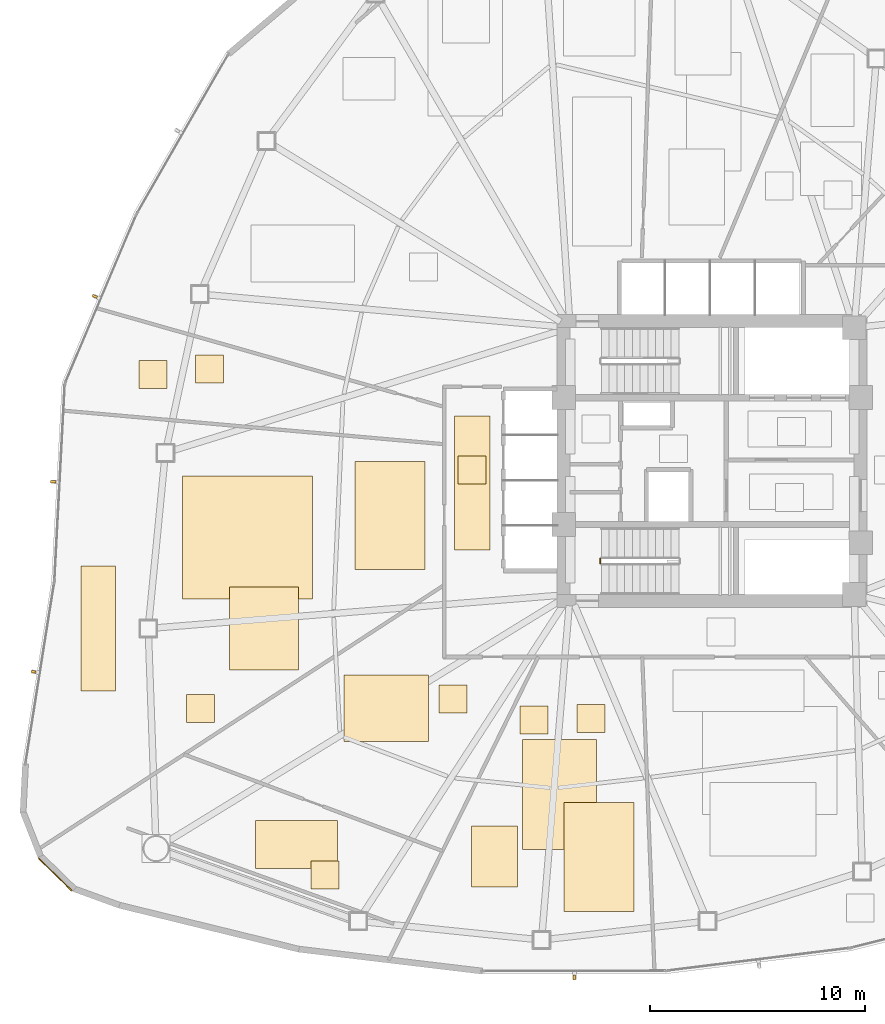
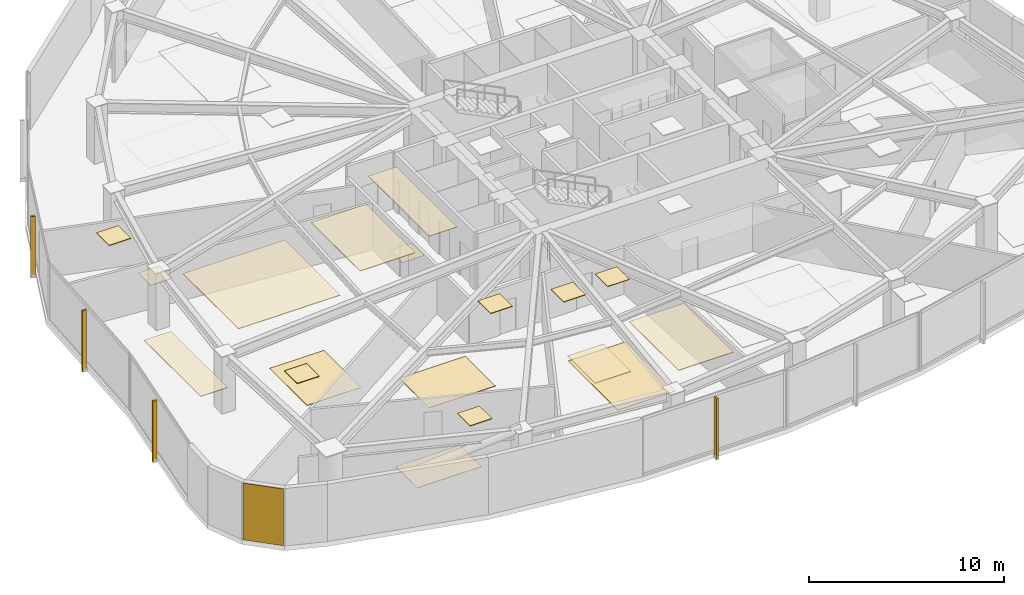
# One storey, part 14 of 17: 19 coverings, 4 shading devices, 1 railing.
"""IFC4 building model written with IfcOpenShell, lengths in metres."""

from ifc_helpers import new_model, si_unit, direction, frame, origin, origin_2d, place, context, subcontext, project, spatial, polyline, rectangle, outline, extrude, source, transform, mapped, material, layer, layer_set, type_object, type_shapes, element, save


model = new_model("IFC4")

# Units and contexts
model_context = context("Model", 3, precision=1e-05, world=origin(), true_north=direction((0.0, 1.0)))
body_context = subcontext(model_context, "Body", "Model", "MODEL_VIEW")
ifc_project = project(units=[si_unit("LENGTHUNIT", "METRE"), si_unit("AREAUNIT", "SQUARE_METRE"), si_unit("VOLUMEUNIT", "CUBIC_METRE"), si_unit("PLANEANGLEUNIT", "RADIAN"), si_unit("MASSUNIT", "GRAM", prefix="KILO")], contexts=[model_context])

# Site, building, storey
site_placement = place(None, origin())
site = spatial("IfcSite", under=ifc_project, at=site_placement, CompositionType="ELEMENT")
building_placement = place(site_placement, origin())
building = spatial("IfcBuilding", under=site, at=building_placement, Name="Tavelor Broadcast Tower", CompositionType="ELEMENT")
storey_placement = place(building_placement, frame((0.0, 0.0, 39.300048828125)))
storey = spatial("IfcBuildingStorey", under=building, at=storey_placement, Name="L08", CompositionType="ELEMENT", Elevation=39.300048828125)

# Coverings
ifc_material_1 = material(Name="Copper-Bronze Anodized Aluminium", Category="aluminium")
ifc_layer_1 = layer(ifc_material_1, 0.050048828125)
ifc_layer_set_1 = layer_set([ifc_layer_1], Name="Copper-Bronze Anodized Aluminium")
covering_type_1 = type_object("IfcCoveringType", Name="Champagne-Bronze Corner Pier Metal Cladding 50 mm", PredefinedType="CLADDING", material=ifc_layer_set_1)
covering_1_placement = place(storey_placement, frame((19.470458984375, 25.781982421875, 0.02001953125), z_axis=(0.0, 0.0, 1.0), x_axis=(0.716301943425, -0.697790459842, 0.0)))
element("IfcCovering", 1, at=covering_1_placement, inside=storey, type_object=covering_type_1, Name="L08 Champagne-Bronze Corner Cladding 13", PredefinedType="CLADDING", context=body_context, shape_type="SweptSolid", body=[
    extrude(rectangle(XDim=2.159912109375, YDim=0.050048828125, at=origin_2d()), origin(), (0.0, 0.0, 1.0), 3.56005859375),
])
ifc_material_2 = material(Name="Architectural Anodized Aluminium", Category="aluminium")
ifc_layer_2 = layer(ifc_material_2, 0.034912109375)
ifc_layer_set_2 = layer_set([ifc_layer_2], Name="Architectural Anodized Aluminium")
covering_type_2 = type_object("IfcCoveringType", Name="Demountable Metal Tile Corridor Ceiling 35 mm", PredefinedType="CEILING", material=ifc_layer_set_2)
covering_2_placement = place(storey_placement, frame((0.0, 0.0, 3.56494140625)))
element("IfcCovering", 2, at=covering_2_placement, inside=storey, type_object=covering_type_2, Name="L08 Suspended Acoustic Ceiling 0257", PredefinedType="CEILING", context=body_context, shape_type="SweptSolid", body=[
    extrude(outline(polyline([(38.01611328125, 40.868896484375), (39.683837890625, 40.868896484375), (39.683837890625, 47.096923828125), (38.01611328125, 47.096923828125), (38.01611328125, 40.868896484375)])), origin(), (0.0, 0.0, 1.0), 0.034912109375),
])
ifc_material_3 = material(Name="Acoustic Nylon Carpet Tile")
ifc_layer_3 = layer(ifc_material_3, 0.02001953125)
ifc_layer_set_3 = layer_set([ifc_layer_3], Name="Acoustic Nylon Carpet Tile")
covering_type_3 = type_object("IfcCoveringType", Name="Heavy-Duty Acoustic Broadcast Carpet Tile 20 mm", PredefinedType="FLOORING", material=ifc_layer_set_3)
covering_3_placement = place(storey_placement, origin())
element("IfcCovering", 3, at=covering_3_placement, inside=storey, type_object=covering_type_3, Name="L08 Broadcast Floor Finish 0086", PredefinedType="FLOORING", context=body_context, shape_type="SweptSolid", body=[
    extrude(outline(polyline([(38.199951171875, 43.925048828125), (39.5, 43.925048828125), (39.5, 45.22509765625), (38.199951171875, 45.22509765625), (38.199951171875, 43.925048828125)])), origin(), (0.0, 0.0, 1.0), 0.02001953125),
])
covering_4_placement = place(storey_placement, origin())
element("IfcCovering", 4, at=covering_4_placement, inside=storey, type_object=covering_type_3, Name="L08 Broadcast Floor Finish 0090", PredefinedType="FLOORING", context=body_context, shape_type="SweptSolid", body=[
    extrude(outline(polyline([(41.1826171875, 26.9462890625), (44.616943359375, 26.9462890625), (44.616943359375, 32.04931640625), (41.1826171875, 32.04931640625), (41.1826171875, 26.9462890625)])), origin(), (0.0, 0.0, 1.0), 0.02001953125),
])
covering_5_placement = place(storey_placement, origin())
element("IfcCovering", 5, at=covering_5_placement, inside=storey, type_object=covering_type_3, Name="L08 Broadcast Floor Finish 0091", PredefinedType="FLOORING", context=body_context, shape_type="SweptSolid", body=[
    extrude(outline(polyline([(28.7724609375, 26.05810546875), (32.583740234375, 26.05810546875), (32.583740234375, 28.296142578125), (28.7724609375, 28.296142578125), (28.7724609375, 26.05810546875)])), origin(), (0.0, 0.0, 1.0), 0.02001953125),
])
covering_6_placement = place(storey_placement, origin())
element("IfcCovering", 6, at=covering_6_placement, inside=storey, type_object=covering_type_3, Name="L08 Broadcast Floor Finish 0092", PredefinedType="FLOORING", context=body_context, shape_type="SweptSolid", body=[
    extrude(outline(polyline([(27.5625, 35.29833984375), (30.78271484375, 35.29833984375), (30.78271484375, 39.14013671875), (27.5625, 39.14013671875), (27.5625, 35.29833984375)])), origin(), (0.0, 0.0, 1.0), 0.02001953125),
])
covering_7_placement = place(storey_placement, origin())
element("IfcCovering", 7, at=covering_7_placement, inside=storey, type_object=covering_type_3, Name="L08 Broadcast Floor Finish 0093", PredefinedType="FLOORING", context=body_context, shape_type="SweptSolid", body=[
    extrude(outline(polyline([(25.981201171875, 48.62060546875), (27.281005859375, 48.62060546875), (27.281005859375, 49.920654296875), (25.981201171875, 49.920654296875), (25.981201171875, 48.62060546875)])), origin(), (0.0, 0.0, 1.0), 0.02001953125),
])
covering_8_placement = place(storey_placement, origin())
element("IfcCovering", 8, at=covering_8_placement, inside=storey, type_object=covering_type_3, Name="L08 Broadcast Floor Finish 0101", PredefinedType="FLOORING", context=body_context, shape_type="SweptSolid", body=[
    extrude(outline(polyline([(32.893310546875, 31.966064453125), (36.8203125, 31.966064453125), (36.8203125, 35.04931640625), (32.893310546875, 35.04931640625), (32.893310546875, 31.966064453125)])), origin(), (0.0, 0.0, 1.0), 0.02001953125),
])

# Railing
ifc_material_4 = material(Name="Steel S355", Category="steel")
railing_type = type_object("IfcRailingType", Name="Stairwell Steel Safety Guardrail 1150 mm", PredefinedType="GUARDRAIL", material=ifc_material_4)
railing_placement = place(storey_placement, frame((44.800048828125, 40.25, 0.0)))
element("IfcRailing", 9, at=railing_placement, inside=storey, type_object=railing_type, Name="L08 ST2 stair guard 4", PredefinedType="GUARDRAIL", context=body_context, shape_type="SweptSolid", body=[
    extrude(rectangle(XDim=0.048095703125, YDim=0.048095703125, at=origin_2d()), frame((0.0, 0.0, 1.1259765625), z_axis=(0.0, 1.0, 0.0), x_axis=(-1.0, 0.0, 0.0)), (0.0, 0.0, 1.0), 0.199951171875),
    extrude(rectangle(XDim=0.0419921875, YDim=0.0419921875, at=origin_2d()), origin(), (0.0, 0.0, 1.0), 1.101806640625),
    extrude(rectangle(XDim=0.0419921875, YDim=0.0419921875, at=origin_2d()), frame((0.0, 0.199951171875, 0.0)), (0.0, 0.0, 1.0), 1.101806640625),
])

# Coverings
ifc_material_5 = material(Name="Acoustic Mineral Fibre Tile")
ifc_layer_4 = layer(ifc_material_5, 0.0400390625)
ifc_layer_set_4 = layer_set([ifc_layer_4], Name="Acoustic Mineral Fibre Tile")
covering_type_4 = type_object("IfcCoveringType", Name="Suspended Acoustic Mineral-Fibre Office Ceiling 40 mm", PredefinedType="CEILING", material=ifc_layer_set_4)
covering_9_placement = place(storey_placement, frame((0.0, 0.0, 3.56005859375)))
element("IfcCovering", 10, at=covering_9_placement, inside=storey, type_object=covering_type_4, Name="L08 Suspended Acoustic Ceiling 0263", PredefinedType="CEILING", context=body_context, shape_type="SweptSolid", body=[
    extrude(outline(polyline([(38.825927734375, 25.19580078125), (40.96044921875, 25.19580078125), (40.96044921875, 28.030517578125), (38.825927734375, 28.030517578125), (38.825927734375, 25.19580078125)])), origin(), (0.0, 0.0, 1.0), 0.039794921875),
])
covering_10_placement = place(storey_placement, frame((0.0, 0.0, 3.56005859375)))
element("IfcCovering", 11, at=covering_10_placement, inside=storey, type_object=covering_type_4, Name="L08 Suspended Acoustic Ceiling 0264", PredefinedType="CEILING", context=body_context, shape_type="SweptSolid", body=[
    extrude(outline(polyline([(41.0703125, 32.31396484375), (42.370361328125, 32.31396484375), (42.370361328125, 33.614013671875), (41.0703125, 33.614013671875), (41.0703125, 32.31396484375)])), origin(), (0.0, 0.0, 1.0), 0.039794921875),
])
covering_11_placement = place(storey_placement, frame((0.0, 0.0, 3.56005859375)))
element("IfcCovering", 12, at=covering_11_placement, inside=storey, type_object=covering_type_4, Name="L08 Suspended Acoustic Ceiling 0265", PredefinedType="CEILING", context=body_context, shape_type="SweptSolid", body=[
    extrude(outline(polyline([(43.71728515625, 32.377197265625), (45.01708984375, 32.377197265625), (45.01708984375, 33.67724609375), (43.71728515625, 33.67724609375), (43.71728515625, 32.377197265625)])), origin(), (0.0, 0.0, 1.0), 0.039794921875),
])
covering_12_placement = place(storey_placement, frame((0.0, 0.0, 3.56005859375)))
element("IfcCovering", 13, at=covering_12_placement, inside=storey, type_object=covering_type_4, Name="L08 Suspended Acoustic Ceiling 0266", PredefinedType="CEILING", context=body_context, shape_type="SweptSolid", body=[
    extrude(outline(polyline([(43.114501953125, 24.054443359375), (46.365478515625, 24.054443359375), (46.365478515625, 29.118896484375), (43.114501953125, 29.118896484375), (43.114501953125, 24.054443359375)])), origin(), (0.0, 0.0, 1.0), 0.039794921875),
])
covering_13_placement = place(storey_placement, frame((0.0, 0.0, 3.56005859375)))
element("IfcCovering", 14, at=covering_13_placement, inside=storey, type_object=covering_type_4, Name="L08 Suspended Acoustic Ceiling 0267", PredefinedType="CEILING", context=body_context, shape_type="SweptSolid", body=[
    extrude(outline(polyline([(31.354736328125, 25.10302734375), (32.65478515625, 25.10302734375), (32.65478515625, 26.403076171875), (31.354736328125, 26.403076171875), (31.354736328125, 25.10302734375)])), origin(), (0.0, 0.0, 1.0), 0.039794921875),
])
covering_14_placement = place(storey_placement, frame((0.0, 0.0, 3.56005859375)))
element("IfcCovering", 15, at=covering_14_placement, inside=storey, type_object=covering_type_4, Name="L08 Suspended Acoustic Ceiling 0268", PredefinedType="CEILING", context=body_context, shape_type="SweptSolid", body=[
    extrude(outline(polyline([(20.677978515625, 34.31103515625), (22.274658203125, 34.31103515625), (22.274658203125, 40.125244140625), (20.677978515625, 40.125244140625), (20.677978515625, 34.31103515625)])), origin(), (0.0, 0.0, 1.0), 0.039794921875),
])
covering_15_placement = place(storey_placement, frame((0.0, 0.0, 3.56005859375)))
element("IfcCovering", 16, at=covering_15_placement, inside=storey, type_object=covering_type_4, Name="L08 Suspended Acoustic Ceiling 0269", PredefinedType="CEILING", context=body_context, shape_type="SweptSolid", body=[
    extrude(outline(polyline([(25.391357421875, 38.587158203125), (31.43701171875, 38.587158203125), (31.43701171875, 44.302734375), (25.391357421875, 44.302734375), (25.391357421875, 38.587158203125)])), origin(), (0.0, 0.0, 1.0), 0.039794921875),
])
covering_16_placement = place(storey_placement, frame((0.0, 0.0, 3.56005859375)))
element("IfcCovering", 17, at=covering_16_placement, inside=storey, type_object=covering_type_4, Name="L08 Suspended Acoustic Ceiling 0270", PredefinedType="CEILING", context=body_context, shape_type="SweptSolid", body=[
    extrude(outline(polyline([(33.392822265625, 39.94970703125), (36.66650390625, 39.94970703125), (36.66650390625, 44.974365234375), (33.392822265625, 44.974365234375), (33.392822265625, 39.94970703125)])), origin(), (0.0, 0.0, 1.0), 0.039794921875),
])
covering_17_placement = place(storey_placement, frame((0.0, 0.0, 3.56005859375)))
element("IfcCovering", 18, at=covering_17_placement, inside=storey, type_object=covering_type_4, Name="L08 Suspended Acoustic Ceiling 0271", PredefinedType="CEILING", context=body_context, shape_type="SweptSolid", body=[
    extrude(outline(polyline([(25.563720703125, 32.841796875), (26.86376953125, 32.841796875), (26.86376953125, 34.141845703125), (25.563720703125, 34.141845703125), (25.563720703125, 32.841796875)])), origin(), (0.0, 0.0, 1.0), 0.039794921875),
])
covering_18_placement = place(storey_placement, frame((0.0, 0.0, 3.56005859375)))
element("IfcCovering", 19, at=covering_18_placement, inside=storey, type_object=covering_type_4, Name="L08 Suspended Acoustic Ceiling 0272", PredefinedType="CEILING", context=body_context, shape_type="SweptSolid", body=[
    extrude(outline(polyline([(23.369384765625, 48.37646484375), (24.66943359375, 48.37646484375), (24.66943359375, 49.676513671875), (23.369384765625, 49.676513671875), (23.369384765625, 48.37646484375)])), origin(), (0.0, 0.0, 1.0), 0.039794921875),
])
covering_19_placement = place(storey_placement, frame((0.0, 0.0, 3.56005859375)))
element("IfcCovering", 20, at=covering_19_placement, inside=storey, type_object=covering_type_4, Name="L08 Suspended Acoustic Ceiling 0296", PredefinedType="CEILING", context=body_context, shape_type="SweptSolid", body=[
    extrude(outline(polyline([(37.298583984375, 33.297119140625), (38.5986328125, 33.297119140625), (38.5986328125, 34.59716796875), (37.298583984375, 34.59716796875), (37.298583984375, 33.297119140625)])), origin(), (0.0, 0.0, 1.0), 0.039794921875),
])

# Shading devices
ifc_material_6 = material(Name="Kiln-Fired Glazed Terracotta", Category="masonry")
shading_device_type = type_object("IfcShadingDeviceType", Name="Extruded Terracotta Baguette Sun-Screen 110x240", PredefinedType="JALOUSIE", material=ifc_material_6)
shared_shape = source(origin(), body_context, "Body", "SweptSolid", [
    extrude(rectangle(XDim=0.110107421875, YDim=0.239990234375, at=origin_2d()), origin(), (0.0, 0.0, 1.0), 3.840087890625),
])
type_shapes(shading_device_type, [shared_shape])
for number, where, z_axis, x_axis, name in (
    (21, (21.31005859375, 52.6513671875, -0.26025390625), (0.0, 0.0, 1.0), (-0.389445480794, -0.921049519564, 0.0), "L08 Terracotta Baguette Fin 50"),
    (22, (19.37939453125, 44.03515625, -0.26025390625), (0.0, 0.0, 1.0), (-0.052684540515, -0.99861120522, 0.0), "L08 Terracotta Baguette Fin 51"),
    (23, (18.463623046875, 35.202880859375, -0.26025390625), (0.0, 0.0, 1.0), (-0.156779223773, -0.987633674493, 0.0), "L08 Terracotta Baguette Fin 52"),
    (24, (43.598876953125, 21.00146484375, -0.26025390625), (0.0, 0.0, 1.0), (0.999997806755, 0.002094393571, 0.0), "L08 Terracotta Baguette Fin 53"),
):
    element("IfcShadingDevice", number, at=place(storey_placement, frame(where, z_axis=z_axis, x_axis=x_axis)), inside=storey, type_object=shading_device_type, Name=name, PredefinedType="JALOUSIE", context=body_context, shape_type="MappedRepresentation", body=[
        mapped(shared_shape, transform((0.0, 0.0, 0.0), scale=1.0)),
    ])

save(model, "model.ifc")
